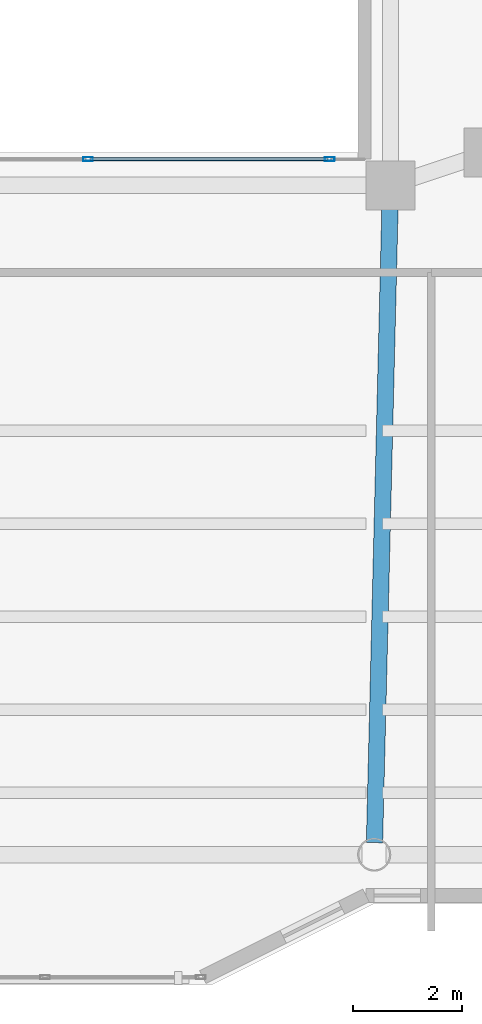
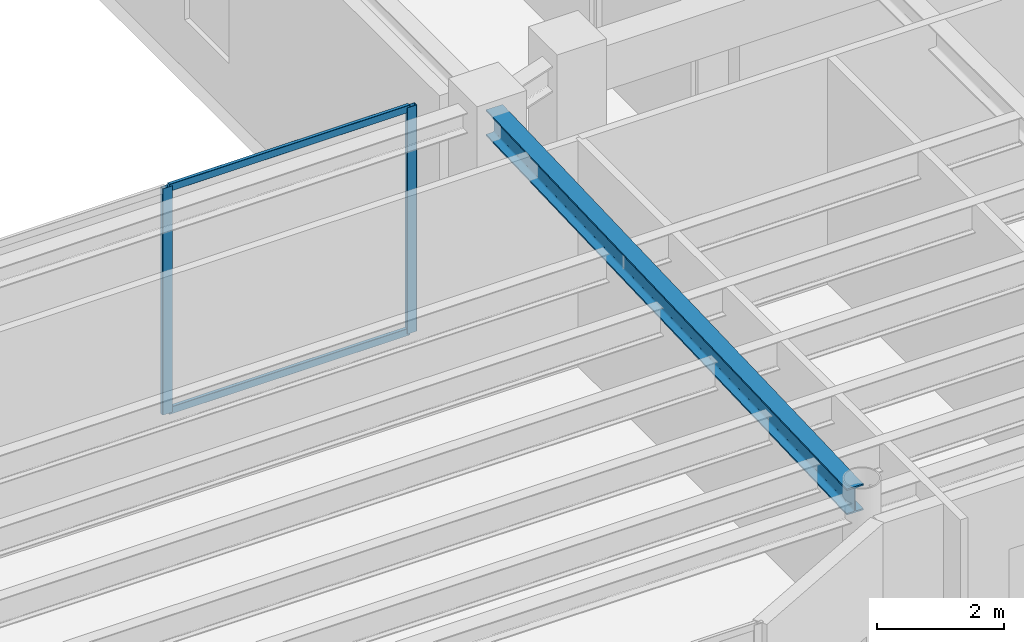
# One storey, part 4 of 23: 4 members, 1 beam, 1 element without a shape of its own.
"""IFC4 building model written with IfcOpenShell, lengths in metres."""

from ifc_helpers import new_model, si_unit, direction, frame, origin, origin_2d, place, context, subcontext, project, spatial, hollow_rectangle, i_section, extrude, material, layer, layer_set, material_profile, profile_set, type_object, element, aggregate, save


model = new_model("IFC4")

# Units and contexts
model_context = context("Model", 3, precision=1e-05, world=origin(), true_north=direction((0.0, 1.0)))
body_context = subcontext(model_context, "Body", "Model", "MODEL_VIEW")
ifc_project = project(units=[si_unit("LENGTHUNIT", "METRE"), si_unit("AREAUNIT", "SQUARE_METRE"), si_unit("VOLUMEUNIT", "CUBIC_METRE"), si_unit("PLANEANGLEUNIT", "RADIAN"), si_unit("MASSUNIT", "GRAM", prefix="KILO")], contexts=[model_context])

# Site, building, storey
site_placement = place(None, origin())
site = spatial("IfcSite", under=ifc_project, at=site_placement, CompositionType="ELEMENT")
building_placement = place(site_placement, origin())
building = spatial("IfcBuilding", under=site, at=building_placement, Name="Tarnavaz Court Tower", CompositionType="ELEMENT")
storey_placement = place(building_placement, frame((0.0, 0.0, 227.10009765625)))
storey = spatial("IfcBuildingStorey", under=building, at=storey_placement, Name="L62", CompositionType="ELEMENT", Elevation=227.10009765625)

# Beam
ifc_material_1 = material(Name="Steel S355", Category="steel")
ifc_material_profile_1 = material_profile(ifc_material_1, i_section(OverallWidth=0.300048828125, OverallDepth=0.5, WebThickness=0.014404296875, FlangeThickness=0.028076171875, FilletRadius=0.027099609375, at=origin_2d()), Name="HEB 500")
ifc_profile_set_1 = profile_set([ifc_material_profile_1], Name="Steel S355")
beam_type = type_object("IfcBeamType", Name="BM-G-HEB500", PredefinedType="USERDEFINED", material=ifc_profile_set_1)
beam_placement = place(storey_placement, frame((7.794677734375, -8.02001953125, 4.099853515625), z_axis=(-0.024386002211, -0.99970261723, 0.0), x_axis=(0.99970261723, -0.024386002211, 0.0)))
element("IfcBeam", 1, at=beam_placement, inside=storey, type_object=beam_type, Name="L62 Beam RG-07", ObjectType="GIRDER", PredefinedType="USERDEFINED", context=body_context, shape_type="SweptSolid", body=[
    extrude(i_section(OverallWidth=0.300048828125, OverallDepth=0.5, WebThickness=0.014404296875, FlangeThickness=0.028076171875, FilletRadius=0.027099609375, at=origin_2d()), origin(), (0.0, 0.0, 1.0), 11.863525390625),
])

# Curtain wall, members
ifc_material_2 = material(Name="Anodised Aluminium 6063-T6 and Solar Low-E Glazing", Category="aluminium")
ifc_layer = layer(ifc_material_2, 0.139892578125)
ifc_layer_set = layer_set([ifc_layer], Name="Anodised Aluminium 6063-T6 and Solar Low-E Glazing")
curtain_wall_type = type_object("IfcCurtainWallType", Name="CW-SYS-04", PredefinedType="NOTDEFINED", material=ifc_layer_set)
curtain_wall_placement = place(storey_placement, origin())
curtain_wall = element("IfcCurtainWall", 2, at=curtain_wall_placement, inside=storey, type_object=curtain_wall_type, Name="L62 Badgir Courtyard Curtain Wall S", PredefinedType="NOTDEFINED")
ifc_material_3 = material(Name="Anodised Aluminium 6063-T6", Category="aluminium")
ifc_material_profile_2 = material_profile(ifc_material_3, hollow_rectangle(XDim=0.074951171875, YDim=0.179931640625, WallThickness=0.0048828125, InnerFilletRadius=0.0048828125, OuterFilletRadius=0.010009765625, at=origin_2d()), Name="ALU RHS 180X75X5")
ifc_profile_set_2 = profile_set([ifc_material_profile_2], Name="Anodised Aluminium 6063-T6")
member_type_1 = type_object("IfcMemberType", Name="CW-MUL-180", PredefinedType="MULLION", material=ifc_profile_set_2)
member_1_placement = place(storey_placement, frame((2.239990234375, -7.320068359375, 0.0), z_axis=(0.0, 0.0, 1.0), x_axis=(0.0, 1.0, 0.0)))
member_1 = element("IfcMember", 3, at=member_1_placement, type_object=member_type_1, Name="CW mullion 3", PredefinedType="MULLION", context=body_context, shape_type="SweptSolid", body=[
    extrude(hollow_rectangle(XDim=0.074951171875, YDim=0.179931640625, WallThickness=0.0048828125, InnerFilletRadius=0.0048828125, OuterFilletRadius=0.010009765625, at=origin_2d()), origin(), (0.0, 0.0, 1.0), 4.349853515625),
])
member_2_placement = place(storey_placement, frame((6.6826171875, -7.320068359375, 0.0), z_axis=(0.0, 0.0, 1.0), x_axis=(0.0, 1.0, 0.0)))
member_2 = element("IfcMember", 4, at=member_2_placement, type_object=member_type_1, Name="CW mullion 4", PredefinedType="MULLION", context=body_context, shape_type="SweptSolid", body=[
    extrude(hollow_rectangle(XDim=0.074951171875, YDim=0.179931640625, WallThickness=0.0048828125, InnerFilletRadius=0.0048828125, OuterFilletRadius=0.010009765625, at=origin_2d()), origin(), (0.0, 0.0, 1.0), 4.349853515625),
])
ifc_material_profile_3 = material_profile(ifc_material_3, hollow_rectangle(XDim=0.06494140625, YDim=0.139892578125, WallThickness=0.00390625, InnerFilletRadius=0.00390625, OuterFilletRadius=0.008056640625, at=origin_2d()), Name="ALU RHS 140X65X4")
ifc_profile_set_3 = profile_set([ifc_material_profile_3], Name="Anodised Aluminium 6063-T6")
member_type_2 = type_object("IfcMemberType", Name="CW-TRN-140", PredefinedType="USERDEFINED", material=ifc_profile_set_3)
member_3_placement = place(storey_placement, frame((2.277587890625, -7.320068359375, 0.032470703125), z_axis=(1.0, 0.0, 0.0), x_axis=(0.0, 1.0, 0.0)))
member_3 = element("IfcMember", 5, at=member_3_placement, type_object=member_type_2, Name="CW transom 3.1", ObjectType="TRANSOM", PredefinedType="USERDEFINED", context=body_context, shape_type="SweptSolid", body=[
    extrude(hollow_rectangle(XDim=0.06494140625, YDim=0.139892578125, WallThickness=0.00390625, InnerFilletRadius=0.00390625, OuterFilletRadius=0.008056640625, at=origin_2d()), origin(), (0.0, 0.0, 1.0), 4.367431640625),
])
member_4_placement = place(storey_placement, frame((2.277587890625, -7.320068359375, 4.3173828125), z_axis=(1.0, 0.0, 0.0), x_axis=(0.0, 1.0, 0.0)))
member_4 = element("IfcMember", 6, at=member_4_placement, type_object=member_type_2, Name="CW transom 3.2", ObjectType="TRANSOM", PredefinedType="USERDEFINED", context=body_context, shape_type="SweptSolid", body=[
    extrude(hollow_rectangle(XDim=0.06494140625, YDim=0.139892578125, WallThickness=0.00390625, InnerFilletRadius=0.00390625, OuterFilletRadius=0.008056640625, at=origin_2d()), origin(), (0.0, 0.0, 1.0), 4.367431640625),
])
aggregate(curtain_wall, [member_1, member_2, member_3, member_4])

save(model, "model.ifc")
